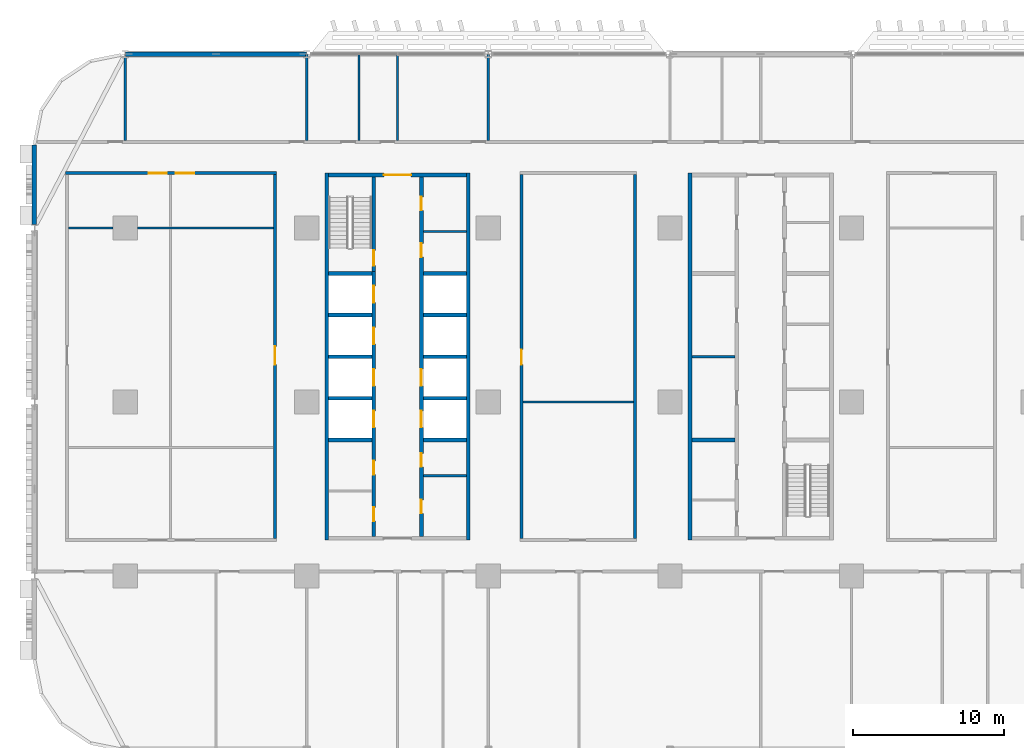
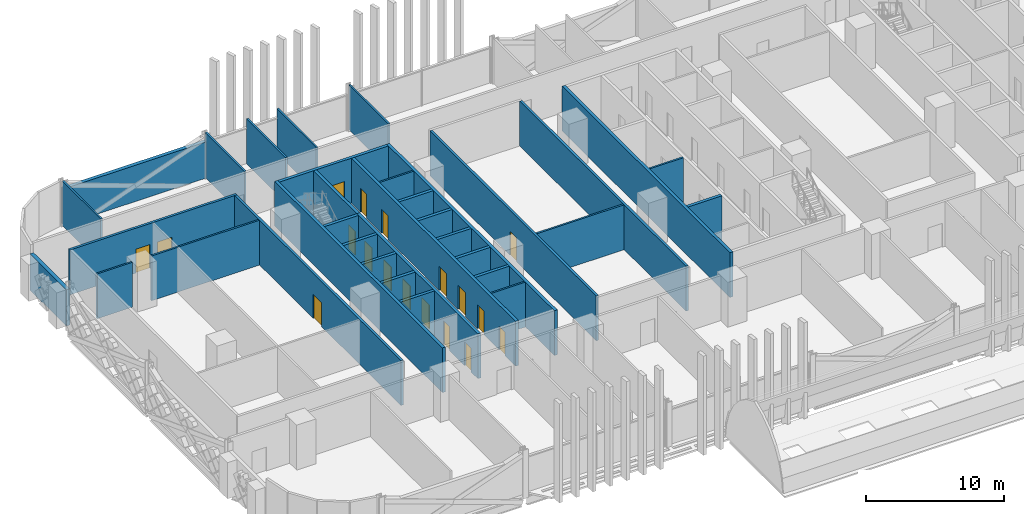
# One storey, part 11 of 31: 35 walls, 18 doors, 18 openings.
"""IFC4 building model written with IfcOpenShell, lengths in metres."""

from ifc_helpers import new_model, si_unit, direction, frame, frame_2d, origin, place, context, subcontext, project, spatial, rectangle, extrude, material, layer, layer_set, type_object, element, fill, save


model = new_model("IFC4")

# Units and contexts
model_context = context("Model", 3, precision=1e-05, world=origin(), true_north=direction((0.0, 1.0)))
body_context = subcontext(model_context, "Body", "Model", "MODEL_VIEW")
ifc_project = project(units=[si_unit("LENGTHUNIT", "METRE"), si_unit("AREAUNIT", "SQUARE_METRE"), si_unit("VOLUMEUNIT", "CUBIC_METRE"), si_unit("PLANEANGLEUNIT", "RADIAN"), si_unit("MASSUNIT", "GRAM", prefix="KILO")], contexts=[model_context])

# Site, building, storey
site_placement = place(None, origin())
site = spatial("IfcSite", under=ifc_project, at=site_placement, CompositionType="ELEMENT")
building_placement = place(site_placement, origin())
building = spatial("IfcBuilding", under=site, at=building_placement, Name="Mahtab Terrace Research Tower", CompositionType="ELEMENT")
storey_placement = place(building_placement, frame((0.0, 0.0, 11.5)))
storey = spatial("IfcBuildingStorey", under=building, at=storey_placement, Name="L02", CompositionType="ELEMENT", Elevation=11.5)

# Walls
ifc_material_1 = material(Name="Gypsum board partition")
ifc_layer_1 = layer(ifc_material_1, 0.14990234375)
ifc_layer_set_1 = layer_set([ifc_layer_1], Name="Core partition 150")
wall_type_1 = type_object("IfcWallType", Name="Core partition 150", PredefinedType="PARTITIONING", material=ifc_layer_set_1)
for number, where, z_axis, x_axis, name in (
    (1, (-22.300048828125, -4.875, 0.0), (0.0, 0.0, 1.0), (1.0, 0.0, 0.0), "Core wall A pES-788"),
    (2, (-22.300048828125, 11.27490234375, 0.0), (0.0, 0.0, 1.0), (1.0, 0.0, 0.0), "Core wall A pEN828"),
    (3, (-4.550048828125, 3.0, 0.0), (0.0, 0.0, 1.0), (1.0, 0.0, 0.0), "Core wall B pWL0"),
):
    element("IfcWall", number, at=place(storey_placement, frame(where, z_axis=z_axis, x_axis=x_axis)), inside=storey, type_object=wall_type_1, Name=name, PredefinedType="PARTITIONING", context=body_context, shape_type="SweptSolid", body=[
        extrude(rectangle(XDim=2.85009765625, YDim=0.14990234375, at=frame_2d((1.425048828125, 0.0))), origin(), (0.0, 0.0, 1.0), 3.9599609375),
    ])
ifc_material_2 = material(Name="Concrete C70/85", Category="concrete")
ifc_layer_2 = layer(ifc_material_2, 0.25)
ifc_layer_set_2 = layer_set([ifc_layer_2], Name="Core wall 250")
wall_type_2 = type_object("IfcWallType", Name="Core wall 250", PredefinedType="SOLIDWALL", material=ifc_layer_set_2)
for number, where, z_axis, x_axis, name in (
    (4, (-28.675048828125, 15.125, 0.0), (0.0, 0.0, 1.0), (0.0, -1.0, 0.0), "Core wall A outerW"),
    (5, (-19.324951171875, -9.125, 0.0), (0.0, 0.0, 1.0), (0.0, 1.0, 0.0), "Core wall A outerE"),
):
    element("IfcWall", number, at=place(storey_placement, frame(where, z_axis=z_axis, x_axis=x_axis)), inside=storey, type_object=wall_type_2, Name=name, PredefinedType="SOLIDWALL", context=body_context, shape_type="SweptSolid", body=[
        extrude(rectangle(XDim=24.25, YDim=0.25, at=frame_2d((12.125, 0.0))), origin(), (0.0, 0.0, 1.0), 3.9599609375),
    ])

# Wall, opening, door
wall_1_placement = place(storey_placement, frame((-28.550048828125, 15.0, 0.0), z_axis=(0.0, 0.0, 1.0), x_axis=(1.0, 0.0, 0.0)))
wall_1 = element("IfcWall", 6, at=wall_1_placement, inside=storey, type_object=wall_type_2, Name="Core wall A endN", PredefinedType="SOLIDWALL", context=body_context, shape_type="SweptSolid", body=[
    extrude(rectangle(XDim=9.10009765625, YDim=0.25, at=frame_2d((4.550048828125, 0.0))), origin(), (0.0, 0.0, 1.0), 3.9599609375),
])
opening_1_placement = place(wall_1_placement, frame((3.64990234375, 0.0, 0.0)))
opening_1 = element("IfcOpeningElement", 7, at=opening_1_placement, cuts=wall_1, Name="Opening A-N1", PredefinedType="OPENING", context=body_context, shape_type="SweptSolid", body=[
    extrude(rectangle(XDim=1.800048828125, YDim=2.10009765625, at=frame_2d((0.89990234375, 1.050048828125))), frame((0.0, 0.135009765625, 0.0), z_axis=(0.0, -1.0, 0.0), x_axis=(1.0, 0.0, 0.0)), (0.0, 0.0, 1.0), 0.27001953125),
])
ifc_material_3 = material(Name="Steel fire door", Category="steel")
door_type_1 = type_object("IfcDoorType", Name="Lobby double door 1800x2100 1 HR", OperationType="DOUBLE_DOOR_SINGLE_SWING", PredefinedType="DOOR", material=ifc_material_3)
door_1_placement = place(opening_1_placement, origin())
door_1 = element("IfcDoor", 8, at=door_1_placement, inside=storey, type_object=door_type_1, Name="Core entrance door A N", OperationType="DOUBLE_DOOR_SINGLE_SWING", OverallHeight=2.10009765625, OverallWidth=1.800048828125, PredefinedType="DOOR", context=body_context, shape_type="SweptSolid", body=[
    extrude(rectangle(XDim=1.800048828125, YDim=2.10009765625, at=frame_2d((0.89990234375, 1.050048828125))), frame((0.0, 0.02490234375, 0.0), z_axis=(0.0, -1.0, 0.0), x_axis=(1.0, 0.0, 0.0)), (0.0, 0.0, 1.0), 0.050048828125),
])
fill(opening_1, door_1)

# Wall, openings, doors
wall_2_placement = place(storey_placement, frame((-25.574951171875, -8.875, 0.0), z_axis=(0.0, 0.0, 1.0), x_axis=(0.0, 1.0, 0.0)))
wall_2 = element("IfcWall", 9, at=wall_2_placement, inside=storey, type_object=wall_type_2, Name="Core wall A innerWSL", PredefinedType="SOLIDWALL", context=body_context, shape_type="SweptSolid", body=[
    extrude(rectangle(XDim=17.5, YDim=0.25, at=frame_2d((8.75, 0.0))), origin(), (0.0, 0.0, 1.0), 3.9599609375),
])
opening_2_placement = place(wall_2_placement, frame((7.199951171875, 0.0, 0.0)))
opening_2 = element("IfcOpeningElement", 10, at=opening_2_placement, cuts=wall_2, Name="Opening LD01-L02", PredefinedType="OPENING", context=body_context, shape_type="SweptSolid", body=[
    extrude(rectangle(XDim=1.10009765625, YDim=2.10009765625, at=frame_2d((0.550048828125, 1.050048828125))), frame((0.0, 0.135009765625, 0.0), z_axis=(0.0, -1.0, 0.0), x_axis=(1.0, 0.0, 0.0)), (0.0, 0.0, 1.0), 0.27001953125),
])
opening_3_placement = place(wall_2_placement, frame((9.949951171875, 0.0, 0.0)))
opening_3 = element("IfcOpeningElement", 11, at=opening_3_placement, cuts=wall_2, Name="Opening LD02-L02", PredefinedType="OPENING", context=body_context, shape_type="SweptSolid", body=[
    extrude(rectangle(XDim=1.10009765625, YDim=2.10009765625, at=frame_2d((0.550048828125, 1.050048828125))), frame((0.0, 0.135009765625, 0.0), z_axis=(0.0, -1.0, 0.0), x_axis=(1.0, 0.0, 0.0)), (0.0, 0.0, 1.0), 0.27001953125),
])
opening_4_placement = place(wall_2_placement, frame((12.699951171875, 0.0, 0.0)))
opening_4 = element("IfcOpeningElement", 12, at=opening_4_placement, cuts=wall_2, Name="Opening LD03-L02", PredefinedType="OPENING", context=body_context, shape_type="SweptSolid", body=[
    extrude(rectangle(XDim=1.10009765625, YDim=2.10009765625, at=frame_2d((0.550048828125, 1.050048828125))), frame((0.0, 0.135009765625, 0.0), z_axis=(0.0, -1.0, 0.0), x_axis=(1.0, 0.0, 0.0)), (0.0, 0.0, 1.0), 0.27001953125),
])
opening_5_placement = place(wall_2_placement, frame((15.449951171875, 0.0, 0.0)))
opening_5 = element("IfcOpeningElement", 13, at=opening_5_placement, cuts=wall_2, Name="Opening LD04-L02", PredefinedType="OPENING", context=body_context, shape_type="SweptSolid", body=[
    extrude(rectangle(XDim=1.10009765625, YDim=2.10009765625, at=frame_2d((0.550048828125, 1.050048828125))), frame((0.0, 0.135009765625, 0.0), z_axis=(0.0, -1.0, 0.0), x_axis=(1.0, 0.0, 0.0)), (0.0, 0.0, 1.0), 0.27001953125),
])
opening_6_placement = place(wall_2_placement, frame((1.012451171875, 0.0, 0.0)))
opening_6 = element("IfcOpeningElement", 14, at=opening_6_placement, cuts=wall_2, Name="Opening A-R1", PredefinedType="OPENING", context=body_context, shape_type="SweptSolid", body=[
    extrude(rectangle(XDim=0.89990234375, YDim=2.10009765625, at=frame_2d((0.449951171875, 1.050048828125))), frame((0.0, 0.135009765625, 0.0), z_axis=(0.0, -1.0, 0.0), x_axis=(1.0, 0.0, 0.0)), (0.0, 0.0, 1.0), 0.27001953125),
])
opening_7_placement = place(wall_2_placement, frame((4.08740234375, 0.0, 0.0)))
opening_7 = element("IfcOpeningElement", 15, at=opening_7_placement, cuts=wall_2, Name="Opening A-R2", PredefinedType="OPENING", context=body_context, shape_type="SweptSolid", body=[
    extrude(rectangle(XDim=0.89990234375, YDim=2.10009765625, at=frame_2d((0.449951171875, 1.050048828125))), frame((0.0, 0.135009765625, 0.0), z_axis=(0.0, -1.0, 0.0), x_axis=(1.0, 0.0, 0.0)), (0.0, 0.0, 1.0), 0.27001953125),
])
ifc_material_4 = material(Name="Stainless steel AISI 304", Category="steel")
door_type_2 = type_object("IfcDoorType", Name="Landing door 1100x2100", OperationType="DOUBLE_DOOR_SLIDING", PredefinedType="DOOR", material=ifc_material_4)
door_2_placement = place(opening_2_placement, origin())
door_2 = element("IfcDoor", 16, at=door_2_placement, inside=storey, type_object=door_type_2, Name="Landing door LR1 L02", OperationType="DOUBLE_DOOR_SLIDING", OverallHeight=2.10009765625, OverallWidth=1.10009765625, PredefinedType="DOOR", context=body_context, shape_type="SweptSolid", body=[
    extrude(rectangle(XDim=1.10009765625, YDim=2.10009765625, at=frame_2d((0.550048828125, 1.050048828125))), frame((0.0, 0.02490234375, 0.0), z_axis=(0.0, -1.0, 0.0), x_axis=(1.0, 0.0, 0.0)), (0.0, 0.0, 1.0), 0.050048828125),
])
fill(opening_2, door_2)
door_3_placement = place(opening_3_placement, origin())
door_3 = element("IfcDoor", 17, at=door_3_placement, inside=storey, type_object=door_type_2, Name="Landing door LR2 L02", OperationType="DOUBLE_DOOR_SLIDING", OverallHeight=2.10009765625, OverallWidth=1.10009765625, PredefinedType="DOOR", context=body_context, shape_type="SweptSolid", body=[
    extrude(rectangle(XDim=1.10009765625, YDim=2.10009765625, at=frame_2d((0.550048828125, 1.050048828125))), frame((0.0, 0.02490234375, 0.0), z_axis=(0.0, -1.0, 0.0), x_axis=(1.0, 0.0, 0.0)), (0.0, 0.0, 1.0), 0.050048828125),
])
fill(opening_3, door_3)
door_4_placement = place(opening_4_placement, origin())
door_4 = element("IfcDoor", 18, at=door_4_placement, inside=storey, type_object=door_type_2, Name="Landing door LR3 L02", OperationType="DOUBLE_DOOR_SLIDING", OverallHeight=2.10009765625, OverallWidth=1.10009765625, PredefinedType="DOOR", context=body_context, shape_type="SweptSolid", body=[
    extrude(rectangle(XDim=1.10009765625, YDim=2.10009765625, at=frame_2d((0.550048828125, 1.050048828125))), frame((0.0, 0.02490234375, 0.0), z_axis=(0.0, -1.0, 0.0), x_axis=(1.0, 0.0, 0.0)), (0.0, 0.0, 1.0), 0.050048828125),
])
fill(opening_4, door_4)
door_5_placement = place(opening_5_placement, origin())
door_5 = element("IfcDoor", 19, at=door_5_placement, inside=storey, type_object=door_type_2, Name="Landing door LR4 L02", OperationType="DOUBLE_DOOR_SLIDING", OverallHeight=2.10009765625, OverallWidth=1.10009765625, PredefinedType="DOOR", context=body_context, shape_type="SweptSolid", body=[
    extrude(rectangle(XDim=1.10009765625, YDim=2.10009765625, at=frame_2d((0.550048828125, 1.050048828125))), frame((0.0, 0.02490234375, 0.0), z_axis=(0.0, -1.0, 0.0), x_axis=(1.0, 0.0, 0.0)), (0.0, 0.0, 1.0), 0.050048828125),
])
fill(opening_5, door_5)
door_type_3 = type_object("IfcDoorType", Name="Room door 900x2100 1 HR", OperationType="NOTDEFINED", PredefinedType="DOOR", material=ifc_material_3)
door_6_placement = place(opening_6_placement, origin())
door_6 = element("IfcDoor", 20, at=door_6_placement, inside=storey, type_object=door_type_3, Name="Staff WC door", OperationType="SINGLE_SWING_LEFT", OverallHeight=2.10009765625, OverallWidth=0.89990234375, PredefinedType="DOOR", context=body_context, shape_type="SweptSolid", body=[
    extrude(rectangle(XDim=0.89990234375, YDim=2.10009765625, at=frame_2d((0.449951171875, 1.050048828125))), frame((0.0, 0.02490234375, 0.0), z_axis=(0.0, -1.0, 0.0), x_axis=(1.0, 0.0, 0.0)), (0.0, 0.0, 1.0), 0.050048828125),
])
fill(opening_6, door_6)
door_7_placement = place(opening_7_placement, origin())
door_7 = element("IfcDoor", 21, at=door_7_placement, inside=storey, type_object=door_type_3, Name="Accessible WC door", OperationType="SINGLE_SWING_RIGHT", OverallHeight=2.10009765625, OverallWidth=0.89990234375, PredefinedType="DOOR", context=body_context, shape_type="SweptSolid", body=[
    extrude(rectangle(XDim=0.89990234375, YDim=2.10009765625, at=frame_2d((0.449951171875, 1.050048828125))), frame((0.0, 0.02490234375, 0.0), z_axis=(0.0, -1.0, 0.0), x_axis=(1.0, 0.0, 0.0)), (0.0, 0.0, 1.0), 0.050048828125),
])
fill(opening_7, door_7)

# Wall, opening, door
wall_3_placement = place(storey_placement, frame((-25.574951171875, 14.875, 0.0), z_axis=(0.0, 0.0, 1.0), x_axis=(0.0, -1.0, 0.0)))
wall_3 = element("IfcWall", 22, at=wall_3_placement, inside=storey, type_object=wall_type_2, Name="Core wall A innerWN", PredefinedType="SOLIDWALL", context=body_context, shape_type="SweptSolid", body=[
    extrude(rectangle(XDim=6.25, YDim=0.25, at=frame_2d((3.125, 0.0))), origin(), (0.0, 0.0, 1.0), 3.9599609375),
])
opening_8_placement = place(wall_3_placement, frame((4.85009765625, 0.0, 0.0)))
opening_8 = element("IfcOpeningElement", 23, at=opening_8_placement, cuts=wall_3, Name="Opening A-ST1", PredefinedType="OPENING", context=body_context, shape_type="SweptSolid", body=[
    extrude(rectangle(XDim=1.0, YDim=2.10009765625, at=frame_2d((0.5, 1.050048828125))), frame((0.0, 0.135009765625, 0.0), z_axis=(0.0, -1.0, 0.0), x_axis=(1.0, 0.0, 0.0)), (0.0, 0.0, 1.0), 0.27001953125),
])
door_type_4 = type_object("IfcDoorType", Name="Stair door 1000x2100 1.5 HR", OperationType="NOTDEFINED", PredefinedType="DOOR", material=ifc_material_3)
door_8_placement = place(opening_8_placement, origin())
door_8 = element("IfcDoor", 24, at=door_8_placement, inside=storey, type_object=door_type_4, Name="Stair door ST1 L02", OperationType="SINGLE_SWING_LEFT", OverallHeight=2.10009765625, OverallWidth=1.0, PredefinedType="DOOR", context=body_context, shape_type="SweptSolid", body=[
    extrude(rectangle(XDim=1.0, YDim=2.10009765625, at=frame_2d((0.5, 1.050048828125))), frame((0.0, 0.02490234375, 0.0), z_axis=(0.0, -1.0, 0.0), x_axis=(1.0, 0.0, 0.0)), (0.0, 0.0, 1.0), 0.050048828125),
])
fill(opening_8, door_8)

# Wall, openings, doors
wall_4_placement = place(storey_placement, frame((-22.425048828125, 14.875, 0.0), z_axis=(0.0, 0.0, 1.0), x_axis=(0.0, -1.0, 0.0)))
wall_4 = element("IfcWall", 25, at=wall_4_placement, inside=storey, type_object=wall_type_2, Name="Core wall A innerESLN", PredefinedType="SOLIDWALL", context=body_context, shape_type="SweptSolid", body=[
    extrude(rectangle(XDim=23.75, YDim=0.25, at=frame_2d((11.875, 0.0))), origin(), (0.0, 0.0, 1.0), 3.9599609375),
])
opening_9_placement = place(wall_4_placement, frame((15.449951171875, 0.0, 0.0)))
opening_9 = element("IfcOpeningElement", 26, at=opening_9_placement, cuts=wall_4, Name="Opening LD05-L02", PredefinedType="OPENING", context=body_context, shape_type="SweptSolid", body=[
    extrude(rectangle(XDim=1.10009765625, YDim=2.10009765625, at=frame_2d((0.550048828125, 1.050048828125))), frame((0.0, 0.135009765625, 0.0), z_axis=(0.0, -1.0, 0.0), x_axis=(1.0, 0.0, 0.0)), (0.0, 0.0, 1.0), 0.27001953125),
])
opening_10_placement = place(wall_4_placement, frame((12.699951171875, 0.0, 0.0)))
opening_10 = element("IfcOpeningElement", 27, at=opening_10_placement, cuts=wall_4, Name="Opening LD06-L02", PredefinedType="OPENING", context=body_context, shape_type="SweptSolid", body=[
    extrude(rectangle(XDim=1.10009765625, YDim=2.10009765625, at=frame_2d((0.550048828125, 1.050048828125))), frame((0.0, 0.135009765625, 0.0), z_axis=(0.0, -1.0, 0.0), x_axis=(1.0, 0.0, 0.0)), (0.0, 0.0, 1.0), 0.27001953125),
])
opening_11_placement = place(wall_4_placement, frame((21.33740234375, 0.0, 0.0)))
opening_11 = element("IfcOpeningElement", 28, at=opening_11_placement, cuts=wall_4, Name="Opening A-R3", PredefinedType="OPENING", context=body_context, shape_type="SweptSolid", body=[
    extrude(rectangle(XDim=0.89990234375, YDim=2.10009765625, at=frame_2d((0.449951171875, 1.050048828125))), frame((0.0, 0.135009765625, 0.0), z_axis=(0.0, -1.0, 0.0), x_axis=(1.0, 0.0, 0.0)), (0.0, 0.0, 1.0), 0.27001953125),
])
opening_12_placement = place(wall_4_placement, frame((18.262451171875, 0.0, 0.0)))
opening_12 = element("IfcOpeningElement", 29, at=opening_12_placement, cuts=wall_4, Name="Opening A-R4", PredefinedType="OPENING", context=body_context, shape_type="SweptSolid", body=[
    extrude(rectangle(XDim=0.89990234375, YDim=2.10009765625, at=frame_2d((0.449951171875, 1.050048828125))), frame((0.0, 0.135009765625, 0.0), z_axis=(0.0, -1.0, 0.0), x_axis=(1.0, 0.0, 0.0)), (0.0, 0.0, 1.0), 0.27001953125),
])
opening_13_placement = place(wall_4_placement, frame((4.387451171875, 0.0, 0.0)))
opening_13 = element("IfcOpeningElement", 30, at=opening_13_placement, cuts=wall_4, Name="Opening A-R5", PredefinedType="OPENING", context=body_context, shape_type="SweptSolid", body=[
    extrude(rectangle(XDim=0.89990234375, YDim=2.10009765625, at=frame_2d((0.449951171875, 1.050048828125))), frame((0.0, 0.135009765625, 0.0), z_axis=(0.0, -1.0, 0.0), x_axis=(1.0, 0.0, 0.0)), (0.0, 0.0, 1.0), 0.27001953125),
])
opening_14_placement = place(wall_4_placement, frame((1.3125, 0.0, 0.0)))
opening_14 = element("IfcOpeningElement", 31, at=opening_14_placement, cuts=wall_4, Name="Opening A-R6", PredefinedType="OPENING", context=body_context, shape_type="SweptSolid", body=[
    extrude(rectangle(XDim=0.89990234375, YDim=2.10009765625, at=frame_2d((0.449951171875, 1.050048828125))), frame((0.0, 0.135009765625, 0.0), z_axis=(0.0, -1.0, 0.0), x_axis=(1.0, 0.0, 0.0)), (0.0, 0.0, 1.0), 0.27001953125),
])
door_9_placement = place(opening_9_placement, origin())
door_9 = element("IfcDoor", 32, at=door_9_placement, inside=storey, type_object=door_type_2, Name="Landing door LR5 L02", OperationType="DOUBLE_DOOR_SLIDING", OverallHeight=2.10009765625, OverallWidth=1.10009765625, PredefinedType="DOOR", context=body_context, shape_type="SweptSolid", body=[
    extrude(rectangle(XDim=1.10009765625, YDim=2.10009765625, at=frame_2d((0.550048828125, 1.050048828125))), frame((0.0, 0.02490234375, 0.0), z_axis=(0.0, -1.0, 0.0), x_axis=(1.0, 0.0, 0.0)), (0.0, 0.0, 1.0), 0.050048828125),
])
fill(opening_9, door_9)
door_10_placement = place(opening_10_placement, origin())
door_10 = element("IfcDoor", 33, at=door_10_placement, inside=storey, type_object=door_type_2, Name="Landing door LR6 L02", OperationType="DOUBLE_DOOR_SLIDING", OverallHeight=2.10009765625, OverallWidth=1.10009765625, PredefinedType="DOOR", context=body_context, shape_type="SweptSolid", body=[
    extrude(rectangle(XDim=1.10009765625, YDim=2.10009765625, at=frame_2d((0.550048828125, 1.050048828125))), frame((0.0, 0.02490234375, 0.0), z_axis=(0.0, -1.0, 0.0), x_axis=(1.0, 0.0, 0.0)), (0.0, 0.0, 1.0), 0.050048828125),
])
fill(opening_10, door_10)
door_11_placement = place(opening_11_placement, origin())
door_11 = element("IfcDoor", 34, at=door_11_placement, inside=storey, type_object=door_type_3, Name="IT equipment room door", OperationType="SINGLE_SWING_LEFT", OverallHeight=2.10009765625, OverallWidth=0.89990234375, PredefinedType="DOOR", context=body_context, shape_type="SweptSolid", body=[
    extrude(rectangle(XDim=0.89990234375, YDim=2.10009765625, at=frame_2d((0.449951171875, 1.050048828125))), frame((0.0, 0.02490234375, 0.0), z_axis=(0.0, -1.0, 0.0), x_axis=(1.0, 0.0, 0.0)), (0.0, 0.0, 1.0), 0.050048828125),
])
fill(opening_11, door_11)
door_12_placement = place(opening_12_placement, origin())
door_12 = element("IfcDoor", 35, at=door_12_placement, inside=storey, type_object=door_type_3, Name="Electrical riser room door", OperationType="SINGLE_SWING_RIGHT", OverallHeight=2.10009765625, OverallWidth=0.89990234375, PredefinedType="DOOR", context=body_context, shape_type="SweptSolid", body=[
    extrude(rectangle(XDim=0.89990234375, YDim=2.10009765625, at=frame_2d((0.449951171875, 1.050048828125))), frame((0.0, 0.02490234375, 0.0), z_axis=(0.0, -1.0, 0.0), x_axis=(1.0, 0.0, 0.0)), (0.0, 0.0, 1.0), 0.050048828125),
])
fill(opening_12, door_12)
door_13_placement = place(opening_13_placement, origin())
door_13 = element("IfcDoor", 36, at=door_13_placement, inside=storey, type_object=door_type_3, Name="Mechanical riser room door", OperationType="SINGLE_SWING_LEFT", OverallHeight=2.10009765625, OverallWidth=0.89990234375, PredefinedType="DOOR", context=body_context, shape_type="SweptSolid", body=[
    extrude(rectangle(XDim=0.89990234375, YDim=2.10009765625, at=frame_2d((0.449951171875, 1.050048828125))), frame((0.0, 0.02490234375, 0.0), z_axis=(0.0, -1.0, 0.0), x_axis=(1.0, 0.0, 0.0)), (0.0, 0.0, 1.0), 0.050048828125),
])
fill(opening_13, door_13)
door_14_placement = place(opening_14_placement, origin())
door_14 = element("IfcDoor", 37, at=door_14_placement, inside=storey, type_object=door_type_3, Name="Chemical store door", OperationType="SINGLE_SWING_RIGHT", OverallHeight=2.10009765625, OverallWidth=0.89990234375, PredefinedType="DOOR", context=body_context, shape_type="SweptSolid", body=[
    extrude(rectangle(XDim=0.89990234375, YDim=2.10009765625, at=frame_2d((0.449951171875, 1.050048828125))), frame((0.0, 0.02490234375, 0.0), z_axis=(0.0, -1.0, 0.0), x_axis=(1.0, 0.0, 0.0)), (0.0, 0.0, 1.0), 0.050048828125),
])
fill(opening_14, door_14)

# Walls
for number, where, z_axis, x_axis, name in (
    (38, (-28.550048828125, -2.5, 0.0), (0.0, 0.0, 1.0), (1.0, 0.0, 0.0), "Core wall A divW0"),
    (39, (-28.550048828125, 0.25, 0.0), (0.0, 0.0, 1.0), (1.0, 0.0, 0.0), "Core wall A divW1"),
    (40, (-28.550048828125, 3.0, 0.0), (0.0, 0.0, 1.0), (1.0, 0.0, 0.0), "Core wall A divW2"),
    (41, (-28.550048828125, 5.75, 0.0), (0.0, 0.0, 1.0), (1.0, 0.0, 0.0), "Core wall A divW3"),
    (42, (-28.550048828125, 8.5, 0.0), (0.0, 0.0, 1.0), (1.0, 0.0, 0.0), "Core wall A divW4"),
    (43, (-22.300048828125, -2.5, 0.0), (0.0, 0.0, 1.0), (1.0, 0.0, 0.0), "Core wall A divE0"),
    (44, (-22.300048828125, 0.25, 0.0), (0.0, 0.0, 1.0), (1.0, 0.0, 0.0), "Core wall A divE1"),
    (45, (-22.300048828125, 3.0, 0.0), (0.0, 0.0, 1.0), (1.0, 0.0, 0.0), "Core wall A divE2"),
    (46, (-22.300048828125, 5.75, 0.0), (0.0, 0.0, 1.0), (1.0, 0.0, 0.0), "Core wall A divE3"),
    (47, (-22.300048828125, 8.5, 0.0), (0.0, 0.0, 1.0), (1.0, 0.0, 0.0), "Core wall A divE4"),
):
    element("IfcWall", number, at=place(storey_placement, frame(where, z_axis=z_axis, x_axis=x_axis)), inside=storey, type_object=wall_type_2, Name=name, PredefinedType="SOLIDWALL", context=body_context, shape_type="SweptSolid", body=[
        extrude(rectangle(XDim=2.85009765625, YDim=0.25, at=frame_2d((1.425048828125, 0.0))), origin(), (0.0, 0.0, 1.0), 3.9599609375),
    ])
wall_5_placement = place(storey_placement, frame((-4.675048828125, 15.125, 0.0), z_axis=(0.0, 0.0, 1.0), x_axis=(0.0, -1.0, 0.0)))
element("IfcWall", 48, at=wall_5_placement, inside=storey, type_object=wall_type_2, Name="Core wall B outerW", PredefinedType="SOLIDWALL", context=body_context, shape_type="SweptSolid", body=[
    extrude(rectangle(XDim=24.25, YDim=0.25, at=frame_2d((12.125, 0.0))), origin(), (0.0, 0.0, 1.0), 3.9599609375),
])
wall_6_placement = place(storey_placement, frame((-4.550048828125, -2.5, 0.0), z_axis=(0.0, 0.0, 1.0), x_axis=(1.0, 0.0, 0.0)))
element("IfcWall", 49, at=wall_6_placement, inside=storey, type_object=wall_type_2, Name="Core wall B divW0", PredefinedType="SOLIDWALL", context=body_context, shape_type="SweptSolid", body=[
    extrude(rectangle(XDim=2.85009765625, YDim=0.25, at=frame_2d((1.425048828125, 0.0))), origin(), (0.0, 0.0, 1.0), 3.9599609375),
])
ifc_material_5 = material(Name="Black aluminium cladding panel", Category="aluminium")
ifc_layer_3 = layer(ifc_material_5, 0.300048828125)
ifc_layer_set_3 = layer_set([ifc_layer_3], Name="Opaque facade wall 300")
wall_type_3 = type_object("IfcWallType", Name="Opaque facade wall 300", PredefinedType="NOTDEFINED", material=ifc_layer_set_3)
wall_7_placement = place(storey_placement, frame((-30.02783203125, 23.0, 0.0), z_axis=(0.0, 0.0, 1.0), x_axis=(-1.0, 0.0, 0.0)))
element("IfcWall", 50, at=wall_7_placement, inside=storey, type_object=wall_type_3, Name="Opaque facade wall L02 N9", PredefinedType="NOTDEFINED", context=body_context, shape_type="SweptSolid", body=[
    extrude(rectangle(XDim=11.9443359375, YDim=0.300048828125, at=frame_2d((5.97216796875, 0.0))), origin(), (0.0, 0.0, 1.0), 3.203125),
])
wall_8_placement = place(storey_placement, frame((-48.0, 17.0, 0.0), z_axis=(0.0, 0.0, 1.0), x_axis=(0.0, -1.0, 0.0)))
element("IfcWall", 51, at=wall_8_placement, inside=storey, type_object=wall_type_3, Name="Opaque facade wall L02 W14", PredefinedType="NOTDEFINED", context=body_context, shape_type="SweptSolid", body=[
    extrude(rectangle(XDim=5.2509765625, YDim=0.300048828125, at=frame_2d((2.62548828125, 0.0))), origin(), (0.0, 0.0, 1.0), 3.203125),
])

# Wall, openings, doors
ifc_material_6 = material(Name="Gypsum board corridor wall on steel studs", Category="steel")
ifc_layer_4 = layer(ifc_material_6, 0.199951171875)
ifc_layer_set_4 = layer_set([ifc_layer_4], Name="WALL CORRIDOR 200")
wall_type_4 = type_object("IfcWallType", Name="WALL CORRIDOR 200", PredefinedType="PARTITIONING", material=ifc_layer_set_4)
wall_9_placement = place(storey_placement, frame((-45.949951171875, 15.125, 0.0), z_axis=(0.0, 0.0, 1.0), x_axis=(1.0, 0.0, 0.0)))
wall_9 = element("IfcWall", 52, at=wall_9_placement, inside=storey, type_object=wall_type_4, Name="L02-W022", PredefinedType="PARTITIONING", context=body_context, shape_type="SweptSolid", body=[
    extrude(rectangle(XDim=13.949951171875, YDim=0.199951171875, at=frame_2d((6.97509765625, 0.0))), origin(), (0.0, 0.0, 1.0), 3.9599609375),
])
opening_15_placement = place(wall_9_placement, frame((5.5, 0.0, 0.0)))
opening_15 = element("IfcOpeningElement", 53, at=opening_15_placement, cuts=wall_9, Name="Opening L02-128", PredefinedType="OPENING", context=body_context, shape_type="SweptSolid", body=[
    extrude(rectangle(XDim=1.199951171875, YDim=2.10009765625, at=frame_2d((0.60009765625, 1.050048828125))), frame((0.0, 0.10986328125, 0.0), z_axis=(0.0, -1.0, 0.0), x_axis=(1.0, 0.0, 0.0)), (0.0, 0.0, 1.0), 0.219970703125),
])
opening_16_placement = place(wall_9_placement, frame((7.300048828125, 0.0, 0.0)))
opening_16 = element("IfcOpeningElement", 54, at=opening_16_placement, cuts=wall_9, Name="Opening L02-129", PredefinedType="OPENING", context=body_context, shape_type="SweptSolid", body=[
    extrude(rectangle(XDim=1.199951171875, YDim=2.10009765625, at=frame_2d((0.60009765625, 1.050048828125))), frame((0.0, 0.10986328125, 0.0), z_axis=(0.0, -1.0, 0.0), x_axis=(1.0, 0.0, 0.0)), (0.0, 0.0, 1.0), 0.219970703125),
])
ifc_material_7 = material(Name="Timber door leaf in steel frame", Category="steel")
door_type_5 = type_object("IfcDoorType", Name="DOOR 1200X2100 FD30S", OperationType="SINGLE_SWING_LEFT", PredefinedType="DOOR", material=ifc_material_7)
door_15_placement = place(opening_15_placement, origin())
door_15 = element("IfcDoor", 55, at=door_15_placement, inside=storey, type_object=door_type_5, Name="Door L02-128", OperationType="SINGLE_SWING_RIGHT", OverallHeight=2.10009765625, OverallWidth=1.199951171875, PredefinedType="DOOR", context=body_context, shape_type="SweptSolid", body=[
    extrude(rectangle(XDim=1.199951171875, YDim=2.10009765625, at=frame_2d((0.60009765625, 1.050048828125))), frame((0.0, 0.02490234375, 0.0), z_axis=(0.0, -1.0, 0.0), x_axis=(1.0, 0.0, 0.0)), (0.0, 0.0, 1.0), 0.050048828125),
])
fill(opening_15, door_15)
door_16_placement = place(opening_16_placement, origin())
door_16 = element("IfcDoor", 56, at=door_16_placement, inside=storey, type_object=door_type_5, Name="Door L02-129", OperationType="SINGLE_SWING_LEFT", OverallHeight=2.10009765625, OverallWidth=1.199951171875, PredefinedType="DOOR", context=body_context, shape_type="SweptSolid", body=[
    extrude(rectangle(XDim=1.199951171875, YDim=2.10009765625, at=frame_2d((0.60009765625, 1.050048828125))), frame((0.0, 0.02490234375, 0.0), z_axis=(0.0, -1.0, 0.0), x_axis=(1.0, 0.0, 0.0)), (0.0, 0.0, 1.0), 0.050048828125),
])
fill(opening_16, door_16)

# Wall, opening, door
wall_10_placement = place(storey_placement, frame((-32.10009765625, -9.02490234375, 0.0), z_axis=(0.0, 0.0, 1.0), x_axis=(0.0, 1.0, 0.0)))
wall_10 = element("IfcWall", 57, at=wall_10_placement, inside=storey, type_object=wall_type_4, Name="L02-W031", PredefinedType="PARTITIONING", context=body_context, shape_type="SweptSolid", body=[
    extrude(rectangle(XDim=24.0498046875, YDim=0.199951171875, at=frame_2d((12.02490234375, 0.0))), origin(), (0.0, 0.0, 1.0), 3.9599609375),
])
opening_17_placement = place(wall_10_placement, frame((11.5, 0.0, 0.0)))
opening_17 = element("IfcOpeningElement", 58, at=opening_17_placement, cuts=wall_10, Name="Opening L02-123", PredefinedType="OPENING", context=body_context, shape_type="SweptSolid", body=[
    extrude(rectangle(XDim=1.199951171875, YDim=2.10009765625, at=frame_2d((0.60009765625, 1.050048828125))), frame((0.0, 0.10986328125, 0.0), z_axis=(0.0, -1.0, 0.0), x_axis=(1.0, 0.0, 0.0)), (0.0, 0.0, 1.0), 0.219970703125),
])
door_17_placement = place(opening_17_placement, origin())
door_17 = element("IfcDoor", 59, at=door_17_placement, inside=storey, type_object=door_type_5, Name="Door L02-123", OperationType="SINGLE_SWING_RIGHT", OverallHeight=2.10009765625, OverallWidth=1.199951171875, PredefinedType="DOOR", context=body_context, shape_type="SweptSolid", body=[
    extrude(rectangle(XDim=1.199951171875, YDim=2.10009765625, at=frame_2d((0.60009765625, 1.050048828125))), frame((0.0, 0.02490234375, 0.0), z_axis=(0.0, -1.0, 0.0), x_axis=(1.0, 0.0, 0.0)), (0.0, 0.0, 1.0), 0.050048828125),
])
fill(opening_17, door_17)

wall_11_placement = place(storey_placement, frame((-15.800048828125, -9.02490234375, 0.0), z_axis=(0.0, 0.0, 1.0), x_axis=(0.0, 1.0, 0.0)))
wall_11 = element("IfcWall", 60, at=wall_11_placement, inside=storey, type_object=wall_type_4, Name="L02-W040", PredefinedType="PARTITIONING", context=body_context, shape_type="SweptSolid", body=[
    extrude(rectangle(XDim=24.0498046875, YDim=0.199951171875, at=frame_2d((12.02490234375, 0.0))), origin(), (0.0, 0.0, 1.0), 3.9599609375),
])
opening_18_placement = place(wall_11_placement, frame((11.5, 0.0, 0.0)))
opening_18 = element("IfcOpeningElement", 61, at=opening_18_placement, cuts=wall_11, Name="Opening L02-125", PredefinedType="OPENING", context=body_context, shape_type="SweptSolid", body=[
    extrude(rectangle(XDim=1.0, YDim=2.10009765625, at=frame_2d((0.5, 1.050048828125))), frame((0.0, 0.10986328125, 0.0), z_axis=(0.0, -1.0, 0.0), x_axis=(1.0, 0.0, 0.0)), (0.0, 0.0, 1.0), 0.219970703125),
])
door_type_6 = type_object("IfcDoorType", Name="DOOR 1000X2100 FD30S", OperationType="SINGLE_SWING_LEFT", PredefinedType="DOOR", material=ifc_material_7)
door_18_placement = place(opening_18_placement, origin())
door_18 = element("IfcDoor", 62, at=door_18_placement, inside=storey, type_object=door_type_6, Name="Door L02-125", OperationType="SINGLE_SWING_RIGHT", OverallHeight=2.10009765625, OverallWidth=1.0, PredefinedType="DOOR", context=body_context, shape_type="SweptSolid", body=[
    extrude(rectangle(XDim=1.0, YDim=2.10009765625, at=frame_2d((0.5, 1.050048828125))), frame((0.0, 0.02490234375, 0.0), z_axis=(0.0, -1.0, 0.0), x_axis=(1.0, 0.0, 0.0)), (0.0, 0.0, 1.0), 0.050048828125),
])
fill(opening_18, door_18)

# Walls
wall_12_placement = place(storey_placement, frame((-8.300048828125, -9.02490234375, 0.0), z_axis=(0.0, 0.0, 1.0), x_axis=(0.0, 1.0, 0.0)))
element("IfcWall", 63, at=wall_12_placement, inside=storey, type_object=wall_type_4, Name="L02-W042", PredefinedType="PARTITIONING", context=body_context, shape_type="SweptSolid", body=[
    extrude(rectangle(XDim=24.0498046875, YDim=0.199951171875, at=frame_2d((12.02490234375, 0.0))), origin(), (0.0, 0.0, 1.0), 3.9599609375),
])
ifc_material_8 = material(Name="Gypsum board partition on steel studs", Category="steel")
ifc_layer_5 = layer(ifc_material_8, 0.14990234375)
ifc_layer_set_5 = layer_set([ifc_layer_5], Name="WALL PARTITION 150")
wall_type_5 = type_object("IfcWallType", Name="WALL PARTITION 150", PredefinedType="PARTITIONING", material=ifc_layer_set_5)
wall_13_placement = place(storey_placement, frame((-15.699951171875, 0.0, 0.0), z_axis=(0.0, 0.0, 1.0), x_axis=(1.0, 0.0, 0.0)))
element("IfcWall", 64, at=wall_13_placement, inside=storey, type_object=wall_type_5, Name="L02-W016", PredefinedType="PARTITIONING", context=body_context, shape_type="SweptSolid", body=[
    extrude(rectangle(XDim=7.300048828125, YDim=0.14990234375, at=frame_2d((3.64990234375, 0.0))), origin(), (0.0, 0.0, 1.0), 3.9599609375),
])
wall_14_placement = place(storey_placement, frame((-45.75, 11.5, 0.0), z_axis=(0.0, 0.0, 1.0), x_axis=(1.0, 0.0, 0.0)))
element("IfcWall", 65, at=wall_14_placement, inside=storey, type_object=wall_type_5, Name="L02-W019", PredefinedType="PARTITIONING", context=body_context, shape_type="SweptSolid", body=[
    extrude(rectangle(XDim=2.949951171875, YDim=0.14990234375, at=frame_2d((1.47509765625, 0.0))), origin(), (0.0, 0.0, 1.0), 3.9599609375),
])
wall_15_placement = place(storey_placement, frame((-41.199951171875, 11.5, 0.0), z_axis=(0.0, 0.0, 1.0), x_axis=(1.0, 0.0, 0.0)))
element("IfcWall", 66, at=wall_15_placement, inside=storey, type_object=wall_type_5, Name="L02-W020", PredefinedType="PARTITIONING", context=body_context, shape_type="SweptSolid", body=[
    extrude(rectangle(XDim=9.0, YDim=0.14990234375, at=frame_2d((4.5, 0.0))), origin(), (0.0, 0.0, 1.0), 3.9599609375),
])
wall_16_placement = place(storey_placement, frame((-42.0, 17.300048828125, 0.0), z_axis=(0.0, 0.0, 1.0), x_axis=(0.0, 1.0, 0.0)))
element("IfcWall", 67, at=wall_16_placement, inside=storey, type_object=wall_type_5, Name="L02-W028", PredefinedType="PARTITIONING", context=body_context, shape_type="SweptSolid", body=[
    extrude(rectangle(XDim=5.547119140625, YDim=0.14990234375, at=frame_2d((2.7734375, 0.0))), origin(), (0.0, 0.0, 1.0), 3.9599609375),
])
for number, where, z_axis, x_axis, name in (
    (68, (-30.0, 17.300048828125, 0.0), (0.0, 0.0, 1.0), (0.0, 1.0, 0.0), "L02-W033"),
    (69, (-26.550048828125, 17.300048828125, 0.0), (0.0, 0.0, 1.0), (0.0, 1.0, 0.0), "L02-W034"),
    (70, (-24.0, 17.300048828125, 0.0), (0.0, 0.0, 1.0), (0.0, 1.0, 0.0), "L02-W036"),
    (71, (-18.0, 17.300048828125, 0.0), (0.0, 0.0, 1.0), (0.0, 1.0, 0.0), "L02-W039"),
):
    element("IfcWall", number, at=place(storey_placement, frame(where, z_axis=z_axis, x_axis=x_axis)), inside=storey, type_object=wall_type_5, Name=name, PredefinedType="PARTITIONING", context=body_context, shape_type="SweptSolid", body=[
        extrude(rectangle(XDim=5.675048828125, YDim=0.14990234375, at=frame_2d((2.83740234375, 0.0))), origin(), (0.0, 0.0, 1.0), 3.9599609375),
    ])

save(model, "model.ifc")
